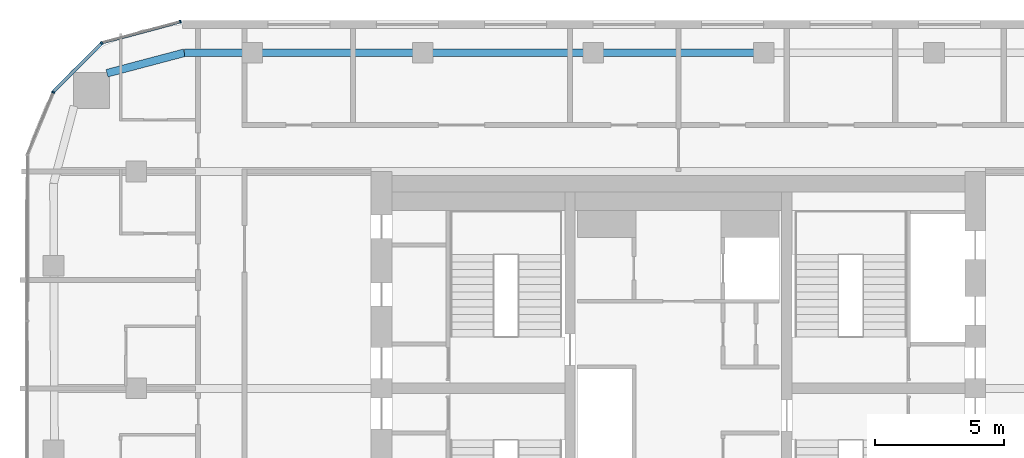
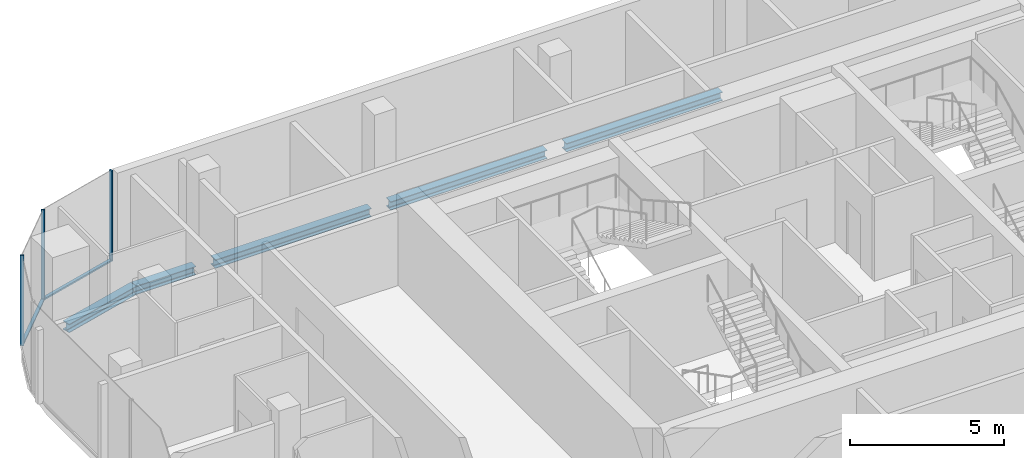
# One storey, part 10 of 22: 5 beams, 5 members, 3 elements without a shape of their own.
"""IFC4 building model written with IfcOpenShell, lengths in metres."""

from ifc_helpers import new_model, si_unit, direction, frame, origin, origin_2d, place, context, subcontext, project, spatial, rectangle, i_section, extrude, material, layer, layer_set, material_profile, profile_set, type_object, element, aggregate, save


model = new_model("IFC4")

# Units and contexts
model_context = context("Model", 3, precision=1e-05, world=origin(), true_north=direction((0.0, 1.0)))
body_context = subcontext(model_context, "Body", "Model", "MODEL_VIEW")
ifc_project = project(units=[si_unit("LENGTHUNIT", "METRE"), si_unit("AREAUNIT", "SQUARE_METRE"), si_unit("VOLUMEUNIT", "CUBIC_METRE"), si_unit("PLANEANGLEUNIT", "RADIAN"), si_unit("MASSUNIT", "GRAM", prefix="KILO")], contexts=[model_context])

# Site, building, storey
site_placement = place(None, origin())
site = spatial("IfcSite", under=ifc_project, at=site_placement, CompositionType="ELEMENT")
building_placement = place(site_placement, origin())
building = spatial("IfcBuilding", under=site, at=building_placement, Name="Marenta Gate Hotel Tower", CompositionType="ELEMENT")
storey_placement = place(building_placement, frame((0.0, 0.0, 230.89990234375)))
storey = spatial("IfcBuildingStorey", under=building, at=storey_placement, Name="L54", CompositionType="ELEMENT", Elevation=230.89990234375)

# Beams
ifc_material_1 = material(Name="Steel S355", Category="steel")
ifc_material_profile_1 = material_profile(ifc_material_1, i_section(OverallWidth=0.300048828125, OverallDepth=0.340087890625, WebThickness=0.011962890625, FlangeThickness=0.021484375, FilletRadius=0.027099609375, at=origin_2d()), Name="HEB 340")
ifc_profile_set_1 = profile_set([ifc_material_profile_1], Name="Steel S355")
beam_type = type_object("IfcBeamType", Name="Edge beam HEB 340", PredefinedType="SPANDREL", material=ifc_profile_set_1)
beam_1_placement = place(storey_placement, frame((-22.132080078125, 20.607177734375, -0.429931640625), z_axis=(0.9667647815, 0.25566747398, 0.0), x_axis=(-0.25566747398, 0.9667647815, 0.0)))
element("IfcBeam", 1, at=beam_1_placement, inside=storey, type_object=beam_type, Name="L54-EB-12", PredefinedType="SPANDREL", context=body_context, shape_type="SweptSolid", body=[
    extrude(i_section(OverallWidth=0.300048828125, OverallDepth=0.340087890625, WebThickness=0.011962890625, FlangeThickness=0.021484375, FilletRadius=0.027099609375, at=origin_2d()), origin(), (0.0, 0.0, 1.0), 3.1005859375),
])
beam_2_placement = place(storey_placement, frame((-19.134521484375, 21.39990234375, -0.429931640625), z_axis=(1.0, 0.0, 0.0), x_axis=(0.0, 1.0, 0.0)))
element("IfcBeam", 2, at=beam_2_placement, inside=storey, type_object=beam_type, Name="L54-EB-13", PredefinedType="SPANDREL", context=body_context, shape_type="SweptSolid", body=[
    extrude(i_section(OverallWidth=0.300048828125, OverallDepth=0.340087890625, WebThickness=0.011962890625, FlangeThickness=0.021484375, FilletRadius=0.027099609375, at=origin_2d()), origin(), (0.0, 0.0, 1.0), 2.267578125),
])
for number, where, z_axis, x_axis, name in (
    (3, (-16.14697265625, 21.39990234375, -0.429931640625), (1.0, 0.0, 0.0), (0.0, 1.0, 0.0), "L54-EB-14"),
    (4, (-9.544189453125, 21.39990234375, -0.429931640625), (1.0, 0.0, 0.0), (0.0, 1.0, 0.0), "L54-EB-15"),
    (5, (-2.94140625, 21.39990234375, -0.429931640625), (1.0, 0.0, 0.0), (0.0, 1.0, 0.0), "L54-EB-16"),
):
    element("IfcBeam", number, at=place(storey_placement, frame(where, z_axis=z_axis, x_axis=x_axis)), inside=storey, type_object=beam_type, Name=name, PredefinedType="SPANDREL", context=body_context, shape_type="SweptSolid", body=[
        extrude(i_section(OverallWidth=0.300048828125, OverallDepth=0.340087890625, WebThickness=0.011962890625, FlangeThickness=0.021484375, FilletRadius=0.027099609375, at=origin_2d()), origin(), (0.0, 0.0, 1.0), 5.8828125),
    ])

# Curtain wall, member
ifc_material_2 = material(Name="Tinted insulated glass in bronze anodised frame", Category="glass")
ifc_layer = layer(ifc_material_2, 0.1201171875)
ifc_layer_set = layer_set([ifc_layer], Name="Tinted insulated glass in bronze anodised frame")
curtain_wall_type = type_object("IfcCurtainWallType", Name="Tower unitised curtain wall CW1", PredefinedType="NOTDEFINED", material=ifc_layer_set)
curtain_wall_1_placement = place(storey_placement, origin())
curtain_wall_1 = element("IfcCurtainWall", 6, at=curtain_wall_1_placement, inside=storey, type_object=curtain_wall_type, Name="CW1 run G00", PredefinedType="NOTDEFINED")
ifc_material_3 = material(Name="Bronze anodised aluminium", Category="aluminium")
ifc_material_profile_2 = material_profile(ifc_material_3, rectangle(XDim=0.1201171875, YDim=0.06005859375, at=origin_2d()), Name="Mullion CW1 60x120 bronze anodised aluminium")
ifc_profile_set_2 = profile_set([ifc_material_profile_2], Name="Bronze anodised aluminium")
member_type_1 = type_object("IfcMemberType", Name="Mullion CW1 60x120 bronze anodised aluminium", PredefinedType="MULLION", material=ifc_profile_set_2)
member_1_placement = place(storey_placement, frame((-19.285400390625, 22.603271484375, 0.0), z_axis=(0.0, 0.0, 1.0), x_axis=(0.258801379183, -0.965930559685, 0.0)))
member_1 = element("IfcMember", 7, at=member_1_placement, type_object=member_type_1, Name="CW1 mullion 1", PredefinedType="MULLION", context=body_context, shape_type="SweptSolid", body=[
    extrude(rectangle(XDim=0.1201171875, YDim=0.06005859375, at=origin_2d()), origin(), (0.0, 0.0, 1.0), 3.60009765625),
])

curtain_wall_2_placement = place(storey_placement, origin())
curtain_wall_2 = element("IfcCurtainWall", 8, at=curtain_wall_2_placement, inside=storey, type_object=curtain_wall_type, Name="CW1 run G01", PredefinedType="NOTDEFINED")
member_2_placement = place(storey_placement, frame((-22.334228515625, 21.77099609375, 0.0), z_axis=(0.0, 0.0, 1.0), x_axis=(0.707106781187, -0.707106781187, 0.0)))
member_2 = element("IfcMember", 9, at=member_2_placement, type_object=member_type_1, Name="CW1 mullion 1", PredefinedType="MULLION", context=body_context, shape_type="SweptSolid", body=[
    extrude(rectangle(XDim=0.1201171875, YDim=0.06005859375, at=origin_2d()), origin(), (0.0, 0.0, 1.0), 3.60009765625),
])

curtain_wall_3_placement = place(storey_placement, origin())
curtain_wall_3 = element("IfcCurtainWall", 10, at=curtain_wall_3_placement, inside=storey, type_object=curtain_wall_type, Name="CW1 run G02", PredefinedType="NOTDEFINED")
member_3_placement = place(storey_placement, frame((-24.215087890625, 19.87353515625, 0.0), z_axis=(0.0, 0.0, 1.0), x_axis=(0.923886433266, -0.382666772044, 0.0)))
member_3 = element("IfcMember", 11, at=member_3_placement, type_object=member_type_1, Name="CW1 mullion 1", PredefinedType="MULLION", context=body_context, shape_type="SweptSolid", body=[
    extrude(rectangle(XDim=0.1201171875, YDim=0.06005859375, at=origin_2d()), origin(), (0.0, 0.0, 1.0), 3.60009765625),
])
aggregate(curtain_wall_3, [member_3])

# Member
ifc_material_4 = material(Name="Bronze anodised aluminium", Category="aluminium")
ifc_material_profile_3 = material_profile(ifc_material_4, rectangle(XDim=0.1201171875, YDim=0.06005859375, at=origin_2d()), Name="Transom CW1 60x120 bronze anodised aluminium")
ifc_profile_set_3 = profile_set([ifc_material_profile_3], Name="Bronze anodised aluminium")
member_type_2 = type_object("IfcMemberType", Name="Transom CW1 60x120 bronze anodised aluminium", PredefinedType="USERDEFINED", material=ifc_profile_set_3)
member_4_placement = place(storey_placement, frame((-19.314453125, 22.595458984375, 0.030029296875), z_axis=(-0.965924882171, -0.258822568574, 0.0), x_axis=(0.258822568574, -0.965924882171, 0.0)))
member_4 = element("IfcMember", 12, at=member_4_placement, type_object=member_type_2, Name="CW1 transom 1.1", ObjectType="TRANSOM", PredefinedType="USERDEFINED", context=body_context, shape_type="SweptSolid", body=[
    extrude(rectangle(XDim=0.1201171875, YDim=0.06005859375, at=origin_2d()), origin(), (0.0, 0.0, 1.0), 3.104248046875),
])

aggregate(curtain_wall_1, [member_1, member_4])

member_5_placement = place(storey_placement, frame((-22.355224609375, 21.749755859375, 0.030029296875), z_axis=(-0.707106781187, -0.707106781187, 0.0), x_axis=(0.707106781187, -0.707106781187, 0.0)))
member_5 = element("IfcMember", 13, at=member_5_placement, type_object=member_type_2, Name="CW1 transom 1.1", ObjectType="TRANSOM", PredefinedType="USERDEFINED", context=body_context, shape_type="SweptSolid", body=[
    extrude(rectangle(XDim=0.1201171875, YDim=0.06005859375, at=origin_2d()), origin(), (0.0, 0.0, 1.0), 2.614013671875),
])

aggregate(curtain_wall_2, [member_2, member_5])

save(model, "model.ifc")
